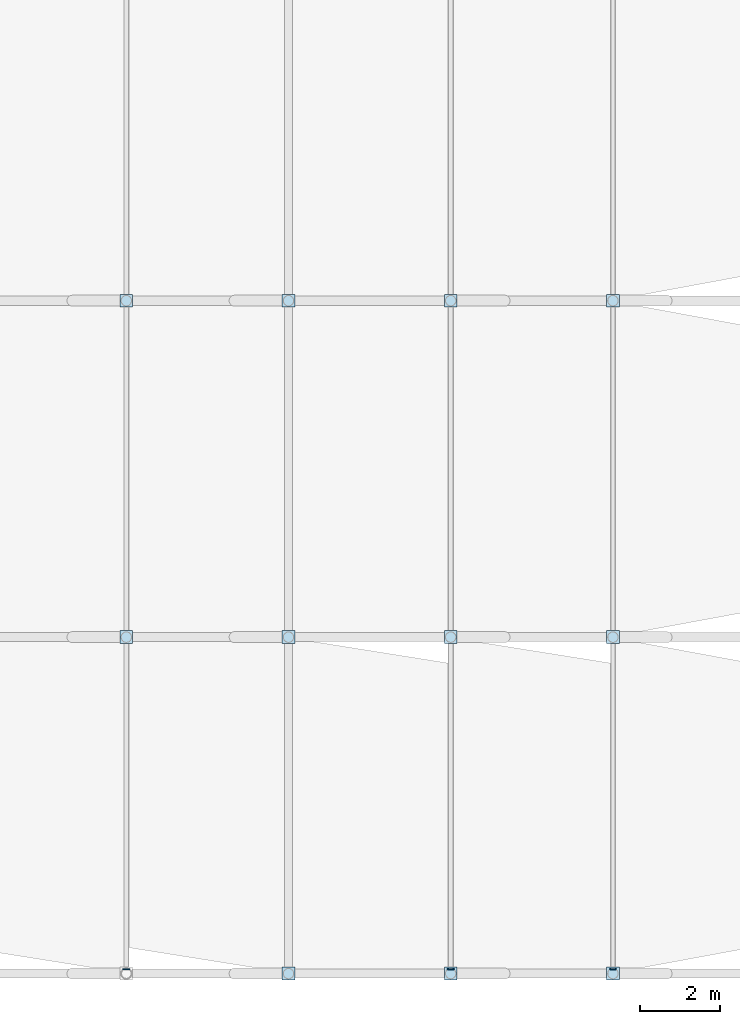
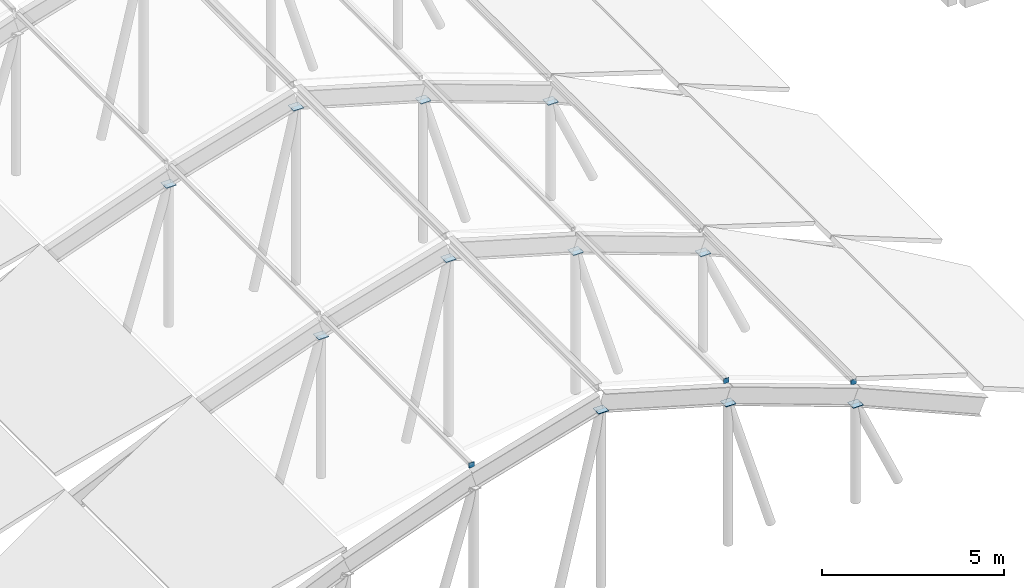
# One storey, part 16 of 22: 14 plates.
"""IFC4 building model written with IfcOpenShell, lengths in metres."""

from ifc_helpers import new_model, si_unit, direction, frame, origin, origin_2d, place, context, subcontext, project, spatial, rectangle, extrude, material, layer, layer_set, type_object, element, save


model = new_model("IFC4")

# Units and contexts
model_context = context("Model", 3, precision=1e-05, world=origin(), true_north=direction((0.0, 1.0)))
body_context = subcontext(model_context, "Body", "Model", "MODEL_VIEW")
ifc_project = project(units=[si_unit("LENGTHUNIT", "METRE"), si_unit("AREAUNIT", "SQUARE_METRE"), si_unit("VOLUMEUNIT", "CUBIC_METRE"), si_unit("PLANEANGLEUNIT", "RADIAN"), si_unit("MASSUNIT", "GRAM", prefix="KILO")], contexts=[model_context])

# Site, building, storey
site_placement = place(None, origin())
site = spatial("IfcSite", under=ifc_project, at=site_placement, CompositionType="ELEMENT")
building_placement = place(site_placement, origin())
building = spatial("IfcBuilding", under=site, at=building_placement, Name="Vireocrest Preparatory School", CompositionType="ELEMENT")
storey_placement = place(building_placement, frame((0.0, 0.0, 25.800048828125)))
storey = spatial("IfcBuildingStorey", under=building, at=storey_placement, Name="RF", CompositionType="ELEMENT", Elevation=25.800048828125)

# Plates
ifc_material = material(Name="Structural steel ASTM A572 Grade 50", Category="steel")
ifc_layer = layer(ifc_material, 0.02001953125)
ifc_layer_set = layer_set([ifc_layer], Name="Structural steel ASTM A572 Grade 50")
plate_type = type_object("IfcPlateType", Name="Hollow Section Steel End Cap Plate 20", PredefinedType="SHEET", material=ifc_layer_set)
for number, where, z_axis, x_axis, name in (
    (1, (79.800048828125, 27.0, 3.287841796875), (0.0, 0.0, 1.0), (1.0, 0.0, 0.0), "Canopy Web Cap CP1-1-4T"),
    (2, (83.85009765625, 27.0, 2.10791015625), (0.0, 0.0, 1.0), (1.0, 0.0, 0.0), "Canopy Web Cap CP1-1-5T"),
    (3, (87.89990234375, 27.0, 0.64794921875), (0.0, 0.0, 1.0), (1.0, 0.0, 0.0), "Canopy Web Cap CP1-1-6T"),
    (4, (75.75, 35.39990234375, 2.10791015625), (0.0, 0.0, 1.0), (1.0, 0.0, 0.0), "Canopy Web Cap CP1-2-3T"),
    (5, (79.800048828125, 35.39990234375, 3.287841796875), (0.0, 0.0, 1.0), (1.0, 0.0, 0.0), "Canopy Web Cap CP1-2-4T"),
    (6, (83.85009765625, 35.39990234375, 2.10791015625), (0.0, 0.0, 1.0), (1.0, 0.0, 0.0), "Canopy Web Cap CP1-2-5T"),
    (7, (87.89990234375, 35.39990234375, 0.64794921875), (0.0, 0.0, 1.0), (1.0, 0.0, 0.0), "Canopy Web Cap CP1-2-6T"),
    (8, (75.75, 43.800048828125, 2.10791015625), (0.0, 0.0, 1.0), (1.0, 0.0, 0.0), "Canopy Web Cap CP1-3-3T"),
    (9, (79.800048828125, 43.800048828125, 3.287841796875), (0.0, 0.0, 1.0), (1.0, 0.0, 0.0), "Canopy Web Cap CP1-3-4T"),
    (10, (83.85009765625, 43.800048828125, 2.10791015625), (0.0, 0.0, 1.0), (1.0, 0.0, 0.0), "Canopy Web Cap CP1-3-5T"),
    (11, (87.89990234375, 43.800048828125, 0.64794921875), (0.0, 0.0, 1.0), (1.0, 0.0, 0.0), "Canopy Web Cap CP1-3-6T"),
):
    element("IfcPlate", number, at=place(storey_placement, frame(where, z_axis=z_axis, x_axis=x_axis)), inside=storey, type_object=plate_type, Name=name, PredefinedType="SHEET", context=body_context, shape_type="SweptSolid", body=[
        extrude(rectangle(XDim=0.320068359375, YDim=0.320068359375, at=origin_2d()), origin(), (0.0, 0.0, 1.0), 0.02001953125),
    ])
for number, where, z_axis, x_axis, name in (
    (12, (75.75, 27.110107421875, 2.70849609375), (0.0, 0.0, 1.0), (1.0, 0.0, 0.0), "Canopy Purlin Cap CP1-1-4"),
    (13, (83.85009765625, 27.110107421875, 2.70849609375), (0.0, 0.0, 1.0), (1.0, 0.0, 0.0), "Canopy Purlin Cap CP1-1-6"),
    (14, (87.89990234375, 27.110107421875, 1.24853515625), (0.0, 0.0, 1.0), (1.0, 0.0, 0.0), "Canopy Purlin Cap CP1-1-7"),
):
    element("IfcPlate", number, at=place(storey_placement, frame(where, z_axis=z_axis, x_axis=x_axis)), inside=storey, type_object=plate_type, Name=name, PredefinedType="SHEET", context=body_context, shape_type="SweptSolid", body=[
        extrude(rectangle(XDim=0.1669921875, YDim=0.02001953125, at=origin_2d()), origin(), (0.0, 0.0, 1.0), 0.1669921875),
    ])

save(model, "model.ifc")
